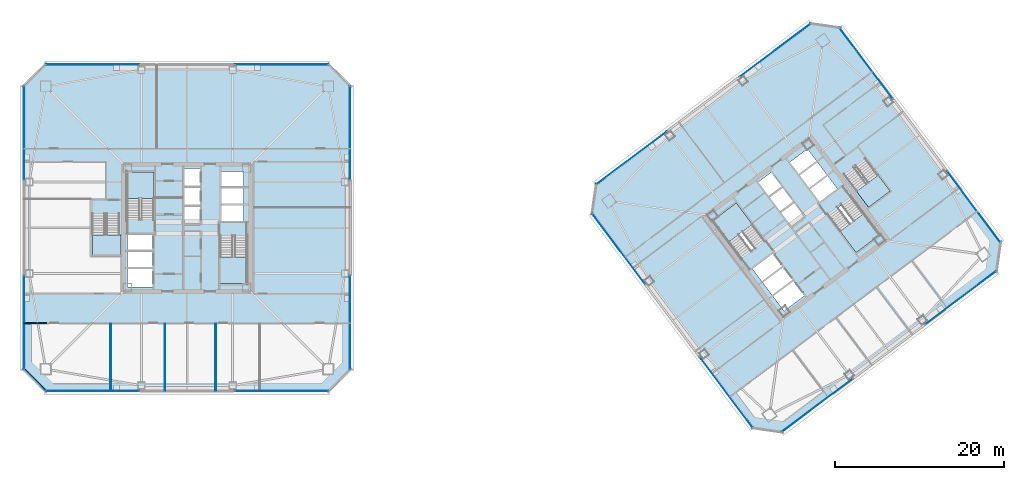
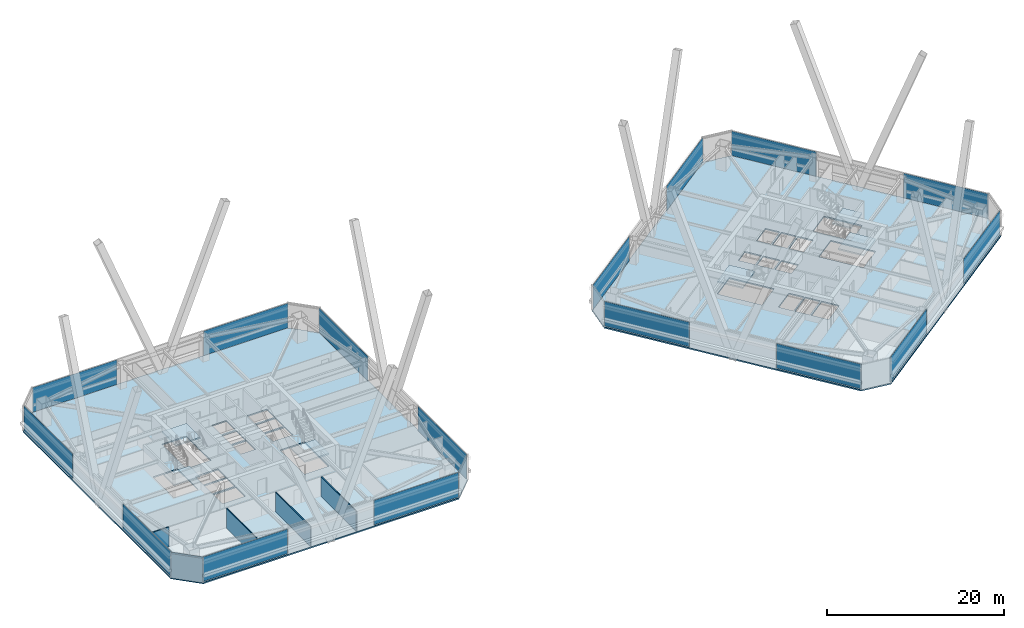
# One storey, part 39 of 50: 16 plates, 8 slabs, 5 walls, 22 elements without a shape of their own.
"""IFC4 building model written with IfcOpenShell, lengths in metres."""

from ifc_helpers import new_model, si_unit, direction, frame, frame_2d, origin, origin_2d, place, context, subcontext, project, spatial, polyline, rectangle, outline, extrude, material, layer, layer_set, type_object, element, aggregate, save


model = new_model("IFC4")

# Units and contexts
model_context = context("Model", 3, precision=1e-05, world=origin(), true_north=direction((0.0, 1.0)))
body_context = subcontext(model_context, "Body", "Model", "MODEL_VIEW")
ifc_project = project(units=[si_unit("LENGTHUNIT", "METRE"), si_unit("AREAUNIT", "SQUARE_METRE"), si_unit("VOLUMEUNIT", "CUBIC_METRE"), si_unit("PLANEANGLEUNIT", "RADIAN"), si_unit("MASSUNIT", "GRAM", prefix="KILO")], contexts=[model_context])

# Site, building, storey
site_placement = place(None, origin())
site = spatial("IfcSite", under=ifc_project, at=site_placement, CompositionType="ELEMENT")
building_placement = place(site_placement, origin())
building = spatial("IfcBuilding", under=site, at=building_placement, Name="Tashvorn Skyway Center", CompositionType="ELEMENT")
storey_placement = place(building_placement, frame((0.0, 0.0, 114.39990234375)))
storey = spatial("IfcBuildingStorey", under=building, at=storey_placement, Name="L30", CompositionType="ELEMENT", Elevation=114.39990234375)

# Curtain wall, plate
ifc_material_1 = material(Name="Thermally broken bronze-anodized aluminium 6063-T6", Category="aluminium")
curtain_wall_type = type_object("IfcCurtainWallType", Name="CW-CW-Z3", PredefinedType="NOTDEFINED", material=ifc_material_1)
curtain_wall_1_placement = place(storey_placement, origin())
curtain_wall_1 = element("IfcCurtainWall", 1, at=curtain_wall_1_placement, inside=storey, type_object=curtain_wall_type, Name="Tower 1 L30 South Unitised Curtain Wall Glazing Group 1", PredefinedType="NOTDEFINED")
ifc_material_2 = material(Name="Low-E solar-control double insulating safety glass", Category="glass")
ifc_layer_1 = layer(ifc_material_2, 0.0400390625)
ifc_layer_set_1 = layer_set([ifc_layer_1], Name="Low-E solar-control double insulating safety glass")
plate_type = type_object("IfcPlateType", Name="CWP-CW-Z3", PredefinedType="CURTAIN_PANEL", material=ifc_layer_set_1)
plate_1_placement = place(storey_placement, frame((53.186767578125, 12.719970703125, 0.0751953125), z_axis=(0.0, 0.0, 1.0), x_axis=(-1.0, 0.0, 0.0)))
plate_1 = element("IfcPlate", 2, at=plate_1_placement, type_object=plate_type, Name="CW-Z3 panel 1.1", PredefinedType="CURTAIN_PANEL", context=body_context, shape_type="SweptSolid", body=[
    extrude(rectangle(XDim=11.03662109375, YDim=0.0400390625, at=origin_2d()), origin(), (0.0, 0.0, 1.0), 3.39990234375),
])
aggregate(curtain_wall_1, [plate_1])

curtain_wall_2_placement = place(storey_placement, origin())
curtain_wall_2 = element("IfcCurtainWall", 3, at=curtain_wall_2_placement, inside=storey, type_object=curtain_wall_type, Name="Tower 1 L30 South Unitised Curtain Wall Glazing Group 2", PredefinedType="NOTDEFINED")
plate_2_placement = place(storey_placement, frame((30.813232421875, 12.719970703125, 0.0751953125), z_axis=(0.0, 0.0, 1.0), x_axis=(-1.0, 0.0, 0.0)))
plate_2 = element("IfcPlate", 4, at=plate_2_placement, type_object=plate_type, Name="CW-Z3 panel 1.1", PredefinedType="CURTAIN_PANEL", context=body_context, shape_type="SweptSolid", body=[
    extrude(rectangle(XDim=11.03662109375, YDim=0.0400390625, at=origin_2d()), origin(), (0.0, 0.0, 1.0), 3.39990234375),
])
aggregate(curtain_wall_2, [plate_2])

curtain_wall_3_placement = place(storey_placement, origin())
curtain_wall_3 = element("IfcCurtainWall", 5, at=curtain_wall_3_placement, inside=storey, type_object=curtain_wall_type, Name="Tower 1 L30 West Unitised Curtain Wall Glazing Group 1", PredefinedType="NOTDEFINED")
plate_3_placement = place(storey_placement, frame((22.719970703125, 20.813232421875, 0.0751953125), z_axis=(0.0, 0.0, 1.0), x_axis=(0.0, 1.0, 0.0)))
plate_3 = element("IfcPlate", 6, at=plate_3_placement, type_object=plate_type, Name="CW-Z3 panel 1.1", PredefinedType="CURTAIN_PANEL", context=body_context, shape_type="SweptSolid", body=[
    extrude(rectangle(XDim=11.03662109375, YDim=0.0400390625, at=origin_2d()), origin(), (0.0, 0.0, 1.0), 3.39990234375),
])
aggregate(curtain_wall_3, [plate_3])

curtain_wall_4_placement = place(storey_placement, origin())
curtain_wall_4 = element("IfcCurtainWall", 7, at=curtain_wall_4_placement, inside=storey, type_object=curtain_wall_type, Name="Tower 1 L30 West Unitised Curtain Wall Glazing Group 2", PredefinedType="NOTDEFINED")
plate_4_placement = place(storey_placement, frame((22.719970703125, 43.186767578125, 0.0751953125), z_axis=(0.0, 0.0, 1.0), x_axis=(0.0, 1.0, 0.0)))
plate_4 = element("IfcPlate", 8, at=plate_4_placement, type_object=plate_type, Name="CW-Z3 panel 1.1", PredefinedType="CURTAIN_PANEL", context=body_context, shape_type="SweptSolid", body=[
    extrude(rectangle(XDim=11.03662109375, YDim=0.0400390625, at=origin_2d()), origin(), (0.0, 0.0, 1.0), 3.39990234375),
])
aggregate(curtain_wall_4, [plate_4])

curtain_wall_5_placement = place(storey_placement, origin())
curtain_wall_5 = element("IfcCurtainWall", 9, at=curtain_wall_5_placement, inside=storey, type_object=curtain_wall_type, Name="Tower 1 L30 North Unitised Curtain Wall Glazing Group 1", PredefinedType="NOTDEFINED")
plate_5_placement = place(storey_placement, frame((30.813232421875, 51.280029296875, 0.0751953125), z_axis=(0.0, 0.0, 1.0), x_axis=(1.0, 0.0, 0.0)))
plate_5 = element("IfcPlate", 10, at=plate_5_placement, type_object=plate_type, Name="CW-Z3 panel 1.1", PredefinedType="CURTAIN_PANEL", context=body_context, shape_type="SweptSolid", body=[
    extrude(rectangle(XDim=11.03662109375, YDim=0.0400390625, at=origin_2d()), origin(), (0.0, 0.0, 1.0), 3.39990234375),
])
aggregate(curtain_wall_5, [plate_5])

curtain_wall_6_placement = place(storey_placement, origin())
curtain_wall_6 = element("IfcCurtainWall", 11, at=curtain_wall_6_placement, inside=storey, type_object=curtain_wall_type, Name="Tower 1 L30 North Unitised Curtain Wall Glazing Group 2", PredefinedType="NOTDEFINED")
plate_6_placement = place(storey_placement, frame((53.186767578125, 51.280029296875, 0.0751953125), z_axis=(0.0, 0.0, 1.0), x_axis=(1.0, 0.0, 0.0)))
plate_6 = element("IfcPlate", 12, at=plate_6_placement, type_object=plate_type, Name="CW-Z3 panel 1.1", PredefinedType="CURTAIN_PANEL", context=body_context, shape_type="SweptSolid", body=[
    extrude(rectangle(XDim=11.03662109375, YDim=0.0400390625, at=origin_2d()), origin(), (0.0, 0.0, 1.0), 3.39990234375),
])
aggregate(curtain_wall_6, [plate_6])

curtain_wall_7_placement = place(storey_placement, origin())
curtain_wall_7 = element("IfcCurtainWall", 13, at=curtain_wall_7_placement, inside=storey, type_object=curtain_wall_type, Name="Tower 1 L30 East Unitised Curtain Wall Glazing Group 1", PredefinedType="NOTDEFINED")
plate_7_placement = place(storey_placement, frame((61.280029296875, 43.186767578125, 0.0751953125), z_axis=(0.0, 0.0, 1.0), x_axis=(0.0, -1.0, 0.0)))
plate_7 = element("IfcPlate", 14, at=plate_7_placement, type_object=plate_type, Name="CW-Z3 panel 1.1", PredefinedType="CURTAIN_PANEL", context=body_context, shape_type="SweptSolid", body=[
    extrude(rectangle(XDim=11.03662109375, YDim=0.0400390625, at=origin_2d()), origin(), (0.0, 0.0, 1.0), 3.39990234375),
])
aggregate(curtain_wall_7, [plate_7])

curtain_wall_8_placement = place(storey_placement, origin())
curtain_wall_8 = element("IfcCurtainWall", 15, at=curtain_wall_8_placement, inside=storey, type_object=curtain_wall_type, Name="Tower 1 L30 East Unitised Curtain Wall Glazing Group 2", PredefinedType="NOTDEFINED")
plate_8_placement = place(storey_placement, frame((61.280029296875, 20.813232421875, 0.0751953125), z_axis=(0.0, 0.0, 1.0), x_axis=(0.0, -1.0, 0.0)))
plate_8 = element("IfcPlate", 16, at=plate_8_placement, type_object=plate_type, Name="CW-Z3 panel 1.1", PredefinedType="CURTAIN_PANEL", context=body_context, shape_type="SweptSolid", body=[
    extrude(rectangle(XDim=11.03662109375, YDim=0.0400390625, at=origin_2d()), origin(), (0.0, 0.0, 1.0), 3.39990234375),
])
aggregate(curtain_wall_8, [plate_8])

curtain_wall_9_placement = place(storey_placement, origin())
curtain_wall_9 = element("IfcCurtainWall", 17, at=curtain_wall_9_placement, inside=storey, type_object=curtain_wall_type, Name="Tower 2 L30 South Unitised Curtain Wall Glazing Group 1", PredefinedType="NOTDEFINED")
plate_9_placement = place(storey_placement, frame((133.437255859375, 23.72802734375, 0.0751953125), z_axis=(0.0, 0.0, 1.0), x_axis=(-0.799998866489, -0.600001511345, 0.0)))
plate_9 = element("IfcPlate", 18, at=plate_9_placement, type_object=plate_type, Name="CW-Z3 panel 1.1", PredefinedType="CURTAIN_PANEL", context=body_context, shape_type="SweptSolid", body=[
    extrude(rectangle(XDim=10.4365234375, YDim=0.0400390625, at=origin_2d()), origin(), (0.0, 0.0, 1.0), 3.39990234375),
])
aggregate(curtain_wall_9, [plate_9])

curtain_wall_10_placement = place(storey_placement, origin())
curtain_wall_10 = element("IfcCurtainWall", 19, at=curtain_wall_10_placement, inside=storey, type_object=curtain_wall_type, Name="Tower 2 L30 South Unitised Curtain Wall Glazing Group 2", PredefinedType="NOTDEFINED")
plate_10_placement = place(storey_placement, frame((116.49853515625, 11.02392578125, 0.0751953125), z_axis=(0.0, 0.0, 1.0), x_axis=(-0.799998866489, -0.600001511345, 0.0)))
plate_10 = element("IfcPlate", 20, at=plate_10_placement, type_object=plate_type, Name="CW-Z3 panel 1.1", PredefinedType="CURTAIN_PANEL", context=body_context, shape_type="SweptSolid", body=[
    extrude(rectangle(XDim=10.4365234375, YDim=0.0400390625, at=origin_2d()), origin(), (0.0, 0.0, 1.0), 3.39990234375),
])
aggregate(curtain_wall_10, [plate_10])

curtain_wall_11_placement = place(storey_placement, origin())
curtain_wall_11 = element("IfcCurtainWall", 21, at=curtain_wall_11_placement, inside=storey, type_object=curtain_wall_type, Name="Tower 2 L30 West Unitised Curtain Wall Glazing Group 1", PredefinedType="NOTDEFINED")
plate_11_placement = place(storey_placement, frame((105.72802734375, 12.562744140625, 0.0751953125), z_axis=(0.0, 0.0, 1.0), x_axis=(-0.600001511345, 0.799998866489, 0.0)))
plate_11 = element("IfcPlate", 22, at=plate_11_placement, type_object=plate_type, Name="CW-Z3 panel 1.1", PredefinedType="CURTAIN_PANEL", context=body_context, shape_type="SweptSolid", body=[
    extrude(rectangle(XDim=10.4365234375, YDim=0.0400390625, at=origin_2d()), origin(), (0.0, 0.0, 1.0), 3.39990234375),
])
aggregate(curtain_wall_11, [plate_11])

curtain_wall_12_placement = place(storey_placement, origin())
curtain_wall_12 = element("IfcCurtainWall", 23, at=curtain_wall_12_placement, inside=storey, type_object=curtain_wall_type, Name="Tower 2 L30 West Unitised Curtain Wall Glazing Group 2", PredefinedType="NOTDEFINED")
plate_12_placement = place(storey_placement, frame((93.02392578125, 29.50146484375, 0.0751953125), z_axis=(0.0, 0.0, 1.0), x_axis=(-0.600001511345, 0.799998866489, 0.0)))
plate_12 = element("IfcPlate", 24, at=plate_12_placement, type_object=plate_type, Name="CW-Z3 panel 1.1", PredefinedType="CURTAIN_PANEL", context=body_context, shape_type="SweptSolid", body=[
    extrude(rectangle(XDim=10.4365234375, YDim=0.0400390625, at=origin_2d()), origin(), (0.0, 0.0, 1.0), 3.39990234375),
])
aggregate(curtain_wall_12, [plate_12])

curtain_wall_13_placement = place(storey_placement, origin())
curtain_wall_13 = element("IfcCurtainWall", 25, at=curtain_wall_13_placement, inside=storey, type_object=curtain_wall_type, Name="Tower 2 L30 North Unitised Curtain Wall Glazing Group 1", PredefinedType="NOTDEFINED")
plate_13_placement = place(storey_placement, frame((94.562744140625, 40.27197265625, 0.0751953125), z_axis=(0.0, 0.0, 1.0), x_axis=(0.799998866489, 0.600001511345, 0.0)))
plate_13 = element("IfcPlate", 26, at=plate_13_placement, type_object=plate_type, Name="CW-Z3 panel 1.1", PredefinedType="CURTAIN_PANEL", context=body_context, shape_type="SweptSolid", body=[
    extrude(rectangle(XDim=10.4365234375, YDim=0.0400390625, at=origin_2d()), origin(), (0.0, 0.0, 1.0), 3.39990234375),
])
aggregate(curtain_wall_13, [plate_13])

curtain_wall_14_placement = place(storey_placement, origin())
curtain_wall_14 = element("IfcCurtainWall", 27, at=curtain_wall_14_placement, inside=storey, type_object=curtain_wall_type, Name="Tower 2 L30 North Unitised Curtain Wall Glazing Group 2", PredefinedType="NOTDEFINED")
plate_14_placement = place(storey_placement, frame((111.50146484375, 52.97607421875, 0.0751953125), z_axis=(0.0, 0.0, 1.0), x_axis=(0.799998866489, 0.600001511345, 0.0)))
plate_14 = element("IfcPlate", 28, at=plate_14_placement, type_object=plate_type, Name="CW-Z3 panel 1.1", PredefinedType="CURTAIN_PANEL", context=body_context, shape_type="SweptSolid", body=[
    extrude(rectangle(XDim=10.4365234375, YDim=0.0400390625, at=origin_2d()), origin(), (0.0, 0.0, 1.0), 3.39990234375),
])
aggregate(curtain_wall_14, [plate_14])

curtain_wall_15_placement = place(storey_placement, origin())
curtain_wall_15 = element("IfcCurtainWall", 29, at=curtain_wall_15_placement, inside=storey, type_object=curtain_wall_type, Name="Tower 2 L30 East Unitised Curtain Wall Glazing Group 1", PredefinedType="NOTDEFINED")
plate_15_placement = place(storey_placement, frame((122.27197265625, 51.437255859375, 0.0751953125), z_axis=(0.0, 0.0, 1.0), x_axis=(0.600001511345, -0.799998866489, 0.0)))
plate_15 = element("IfcPlate", 30, at=plate_15_placement, type_object=plate_type, Name="CW-Z3 panel 1.1", PredefinedType="CURTAIN_PANEL", context=body_context, shape_type="SweptSolid", body=[
    extrude(rectangle(XDim=10.4365234375, YDim=0.0400390625, at=origin_2d()), origin(), (0.0, 0.0, 1.0), 3.39990234375),
])
aggregate(curtain_wall_15, [plate_15])

curtain_wall_16_placement = place(storey_placement, origin())
curtain_wall_16 = element("IfcCurtainWall", 31, at=curtain_wall_16_placement, inside=storey, type_object=curtain_wall_type, Name="Tower 2 L30 East Unitised Curtain Wall Glazing Group 2", PredefinedType="NOTDEFINED")
plate_16_placement = place(storey_placement, frame((134.97607421875, 34.49853515625, 0.0751953125), z_axis=(0.0, 0.0, 1.0), x_axis=(0.600001511345, -0.799998866489, 0.0)))
plate_16 = element("IfcPlate", 32, at=plate_16_placement, type_object=plate_type, Name="CW-Z3 panel 1.1", PredefinedType="CURTAIN_PANEL", context=body_context, shape_type="SweptSolid", body=[
    extrude(rectangle(XDim=10.4365234375, YDim=0.0400390625, at=origin_2d()), origin(), (0.0, 0.0, 1.0), 3.39990234375),
])
aggregate(curtain_wall_16, [plate_16])

# Slabs
ifc_material_3 = material(Name="Concrete C40/50", Category="concrete")
ifc_layer_2 = layer(ifc_material_3, 0.179931640625)
ifc_layer_set_2 = layer_set([ifc_layer_2], Name="Concrete C40/50")
slab_type_1 = type_object("IfcSlabType", Name="SLAB-FLR-180", PredefinedType="FLOOR", material=ifc_layer_set_2)
slab_1_placement = place(storey_placement, frame((0.0, 0.0, -0.179931640625)))
element("IfcSlab", 33, at=slab_1_placement, inside=storey, type_object=slab_type_1, Name="Tower 1 L30 Composite Floor Slab", PredefinedType="FLOOR", context=body_context, shape_type="SweptSolid", body=[
    extrude(outline(polyline([(25.300048828125, 12.60009765625), (58.699951171875, 12.60009765625), (61.39990234375, 15.300048828125), (61.39990234375, 48.699951171875), (58.699951171875, 51.39990234375), (25.300048828125, 51.39990234375), (22.60009765625, 48.699951171875), (22.60009765625, 15.300048828125), (25.300048828125, 12.60009765625)]), holes=[polyline([(38.10009765625, 33.080078125), (38.10009765625, 38.60009765625), (34.89990234375, 38.60009765625), (34.89990234375, 33.080078125), (38.10009765625, 33.080078125)]), polyline([(45.89990234375, 30.919921875), (45.89990234375, 25.39990234375), (49.10009765625, 25.39990234375), (49.10009765625, 30.919921875), (45.89990234375, 30.919921875)]), polyline([(30.800048828125, 33.52001953125), (30.800048828125, 28.800048828125), (34.0, 28.800048828125), (34.0, 33.52001953125), (30.800048828125, 33.52001953125)]), polyline([(34.949951171875, 29.35009765625), (37.949951171875, 29.35009765625), (37.949951171875, 31.199951171875), (34.949951171875, 31.199951171875), (34.949951171875, 29.35009765625)]), polyline([(34.949951171875, 27.35009765625), (37.949951171875, 27.35009765625), (37.949951171875, 29.199951171875), (34.949951171875, 29.199951171875), (34.949951171875, 27.35009765625)]), polyline([(34.949951171875, 25.0), (37.949951171875, 25.0), (37.949951171875, 27.14990234375), (34.949951171875, 27.14990234375), (34.949951171875, 25.0)]), polyline([(41.64990234375, 32.449951171875), (43.550048828125, 32.449951171875), (43.550048828125, 34.5), (41.64990234375, 34.5), (41.64990234375, 32.449951171875)]), polyline([(41.64990234375, 34.699951171875), (43.550048828125, 34.699951171875), (43.550048828125, 36.75), (41.64990234375, 36.75), (41.64990234375, 34.699951171875)]), polyline([(41.64990234375, 36.949951171875), (43.550048828125, 36.949951171875), (43.550048828125, 39.0), (41.64990234375, 39.0), (41.64990234375, 36.949951171875)]), polyline([(46.050048828125, 32.800048828125), (48.64990234375, 32.800048828125), (48.64990234375, 34.64990234375), (46.050048828125, 34.64990234375), (46.050048828125, 32.800048828125)]), polyline([(46.050048828125, 34.85009765625), (48.64990234375, 34.85009765625), (48.64990234375, 36.699951171875), (46.050048828125, 36.699951171875), (46.050048828125, 34.85009765625)]), polyline([(46.050048828125, 36.89990234375), (48.64990234375, 36.89990234375), (48.64990234375, 38.64990234375), (46.050048828125, 38.64990234375), (46.050048828125, 36.89990234375)])]), origin(), (0.0, 0.0, 1.0), 0.179931640625),
])
slab_2_placement = place(storey_placement, frame((0.0, 0.0, -0.179931640625)))
element("IfcSlab", 34, at=slab_2_placement, inside=storey, type_object=slab_type_1, Name="Tower 2 L30 Composite Floor Slab", PredefinedType="FLOOR", context=body_context, shape_type="SweptSolid", body=[
    extrude(outline(polyline([(112.39990234375, 7.800048828125), (137.679931640625, 26.760009765625), (138.199951171875, 30.39990234375), (119.239990234375, 55.679931640625), (115.60009765625, 56.199951171875), (90.320068359375, 37.239990234375), (89.800048828125, 33.60009765625), (108.760009765625, 8.320068359375), (112.39990234375, 7.800048828125)]), holes=[polyline([(110.23193359375, 30.52392578125), (106.919921875, 34.93994140625), (104.135986328125, 32.85205078125), (107.447998046875, 28.43603515625), (110.23193359375, 30.52392578125)]), polyline([(117.76806640625, 33.47607421875), (121.080078125, 29.06005859375), (123.864013671875, 31.14794921875), (120.552001953125, 35.56396484375), (117.76806640625, 33.47607421875)]), polyline([(119.7119140625, 38.18408203125), (122.5439453125, 34.407958984375), (125.10400390625, 36.327880859375), (122.27197265625, 40.10400390625), (119.7119140625, 38.18408203125)]), polyline([(109.949951171875, 25.64990234375), (112.35009765625, 27.449951171875), (111.239990234375, 28.929931640625), (108.840087890625, 27.1298828125), (109.949951171875, 25.64990234375)]), polyline([(111.14990234375, 24.050048828125), (113.550048828125, 25.85009765625), (112.43994140625, 27.330078125), (110.0400390625, 25.530029296875), (111.14990234375, 24.050048828125)]), polyline([(112.56005859375, 22.169921875), (114.9599609375, 23.969970703125), (113.669921875, 25.68994140625), (111.27001953125, 23.889892578125), (112.56005859375, 22.169921875)]), polyline([(113.449951171875, 32.14990234375), (114.969970703125, 33.2900390625), (113.739990234375, 34.929931640625), (112.219970703125, 33.7900390625), (113.449951171875, 32.14990234375)]), polyline([(112.10009765625, 33.949951171875), (113.6201171875, 35.090087890625), (112.389892578125, 36.72998046875), (110.8701171875, 35.590087890625), (112.10009765625, 33.949951171875)]), polyline([(110.75, 35.75), (112.27001953125, 36.889892578125), (111.0400390625, 38.530029296875), (109.52001953125, 37.389892578125), (110.75, 35.75)]), polyline([(116.760009765625, 35.070068359375), (118.840087890625, 36.6298828125), (117.72998046875, 38.110107421875), (115.64990234375, 36.550048828125), (116.760009765625, 35.070068359375)]), polyline([(115.530029296875, 36.7099609375), (117.610107421875, 38.27001953125), (116.5, 39.75), (114.419921875, 38.18994140625), (115.530029296875, 36.7099609375)]), polyline([(114.300048828125, 38.35009765625), (116.3798828125, 39.909912109375), (115.330078125, 41.31005859375), (113.25, 39.75), (114.300048828125, 38.35009765625)])]), origin(), (0.0, 0.0, 1.0), 0.179931640625),
])

# Stair, slab
stair_type = type_object("IfcStairType", Name="STAIR-CORE-1500", PredefinedType="HALF_TURN_STAIR", material=ifc_material_3)
stair_1_placement = place(storey_placement, origin())
stair_1 = element("IfcStair", 35, at=stair_1_placement, inside=storey, type_object=stair_type, Name="L30 Tower 1 Exit Stair 1", PredefinedType="HALF_TURN_STAIR")
ifc_layer_3 = layer(ifc_material_3, 0.199951171875)
ifc_layer_set_3 = layer_set([ifc_layer_3], Name="Concrete C40/50")
slab_type_2 = type_object("IfcSlabType", Name="SLAB-LAND-200", PredefinedType="LANDING", material=ifc_layer_set_3)
slab_3_placement = place(storey_placement, frame((0.0, 0.0, 1.5751953125)))
slab_3 = element("IfcSlab", 36, at=slab_3_placement, type_object=slab_type_2, Name="ST-T1-1 landing 1", PredefinedType="LANDING", context=body_context, shape_type="SweptSolid", body=[
    extrude(outline(polyline([(38.10009765625, 35.43994140625), (38.10009765625, 38.60009765625), (34.89990234375, 38.60009765625), (34.89990234375, 35.43994140625), (38.10009765625, 35.43994140625)])), origin(), (0.0, 0.0, 1.0), 0.199951171875),
])
aggregate(stair_1, [slab_3])

stair_2_placement = place(storey_placement, origin())
stair_2 = element("IfcStair", 37, at=stair_2_placement, inside=storey, type_object=stair_type, Name="L30 Tower 1 Exit Stair 2", PredefinedType="HALF_TURN_STAIR")
slab_4_placement = place(storey_placement, frame((0.0, 0.0, 1.5751953125)))
slab_4 = element("IfcSlab", 38, at=slab_4_placement, type_object=slab_type_2, Name="ST-T1-2 landing 1", PredefinedType="LANDING", context=body_context, shape_type="SweptSolid", body=[
    extrude(outline(polyline([(45.89990234375, 28.56005859375), (45.89990234375, 25.39990234375), (49.10009765625, 25.39990234375), (49.10009765625, 28.56005859375), (45.89990234375, 28.56005859375)])), origin(), (0.0, 0.0, 1.0), 0.199951171875),
])
aggregate(stair_2, [slab_4])

stair_3_placement = place(storey_placement, origin())
stair_3 = element("IfcStair", 39, at=stair_3_placement, inside=storey, type_object=stair_type, Name="L30 Tower 2 Exit Stair 1", PredefinedType="HALF_TURN_STAIR")
slab_5_placement = place(storey_placement, frame((0.0, 0.0, 1.5751953125)))
slab_5 = element("IfcSlab", 40, at=slab_5_placement, type_object=slab_type_2, Name="ST-T2-1 landing 1", PredefinedType="LANDING", context=body_context, shape_type="SweptSolid", body=[
    extrude(outline(polyline([(108.82080078125, 32.405517578125), (106.919921875, 34.93994140625), (104.135986328125, 32.85205078125), (106.036865234375, 30.317626953125), (108.82080078125, 32.405517578125)])), origin(), (0.0, 0.0, 1.0), 0.199951171875),
])
aggregate(stair_3, [slab_5])

stair_4_placement = place(storey_placement, origin())
stair_4 = element("IfcStair", 41, at=stair_4_placement, inside=storey, type_object=stair_type, Name="L30 Tower 2 Exit Stair 2", PredefinedType="HALF_TURN_STAIR")
slab_6_placement = place(storey_placement, frame((0.0, 0.0, 1.5751953125)))
slab_6 = element("IfcSlab", 42, at=slab_6_placement, type_object=slab_type_2, Name="ST-T2-2 landing 1", PredefinedType="LANDING", context=body_context, shape_type="SweptSolid", body=[
    extrude(outline(polyline([(119.17919921875, 31.594482421875), (121.080078125, 29.06005859375), (123.864013671875, 31.14794921875), (121.963134765625, 33.682373046875), (119.17919921875, 31.594482421875)])), origin(), (0.0, 0.0, 1.0), 0.199951171875),
])
aggregate(stair_4, [slab_6])

stair_5_placement = place(storey_placement, origin())
stair_5 = element("IfcStair", 43, at=stair_5_placement, inside=storey, type_object=stair_type, Name="L30 Tower 1 Exit Stair 3", PredefinedType="HALF_TURN_STAIR")
slab_7_placement = place(storey_placement, frame((0.0, 0.0, 1.5751953125)))
slab_7 = element("IfcSlab", 44, at=slab_7_placement, type_object=slab_type_2, Name="ST-T1-3 landing 1", PredefinedType="LANDING", context=body_context, shape_type="SweptSolid", body=[
    extrude(outline(polyline([(30.800048828125, 31.159912109375), (30.800048828125, 28.800048828125), (34.199951171875, 28.800048828125), (34.199951171875, 31.159912109375), (30.800048828125, 31.159912109375)])), origin(), (0.0, 0.0, 1.0), 0.199951171875),
])
aggregate(stair_5, [slab_7])

stair_6_placement = place(storey_placement, origin())
stair_6 = element("IfcStair", 45, at=stair_6_placement, inside=storey, type_object=stair_type, Name="L30 Tower 2 Exit Stair 3", PredefinedType="HALF_TURN_STAIR")
slab_8_placement = place(storey_placement, frame((0.0, 0.0, 1.5751953125)))
slab_8 = element("IfcSlab", 46, at=slab_8_placement, type_object=slab_type_2, Name="ST-T2-3 landing 1", PredefinedType="LANDING", context=body_context, shape_type="SweptSolid", body=[
    extrude(outline(polyline([(121.123291015625, 36.302490234375), (122.5439453125, 34.407958984375), (125.10400390625, 36.327880859375), (123.68310546875, 38.222412109375), (121.123291015625, 36.302490234375)])), origin(), (0.0, 0.0, 1.0), 0.199951171875),
])
aggregate(stair_6, [slab_8])

# Walls
ifc_material_4 = material(Name="Precast concrete C40/50", Category="concrete")
ifc_layer_4 = layer(ifc_material_4, 0.280029296875)
ifc_layer_set_4 = layer_set([ifc_layer_4], Name="Precast concrete C40/50")
wall_type_1 = type_object("IfcWallType", Name="WALL-EXT-280", PredefinedType="SOLIDWALL", material=ifc_layer_set_4)
wall_1_placement = place(storey_placement, frame((25.300048828125, 12.699951171875, 0.0), z_axis=(0.0, 0.0, 1.0), x_axis=(-0.707106781187, 0.707106781187, 0.0)))
element("IfcWall", 47, at=wall_1_placement, inside=storey, type_object=wall_type_1, Name="Tower 1 L30 SW Precast Chamfer Wall", PredefinedType="SOLIDWALL", context=body_context, shape_type="SweptSolid", body=[
    extrude(rectangle(XDim=3.677001953125, YDim=0.280029296875, at=frame_2d((1.83837890625, 0.0))), origin(), (0.0, 0.0, 1.0), 3.3701171875),
])
ifc_material_5 = material(Name="Gypsum board on cold-formed steel stud framing", Category="steel")
ifc_layer_5 = layer(ifc_material_5, 0.110107421875)
ifc_layer_set_5 = layer_set([ifc_layer_5], Name="Gypsum board on cold-formed steel stud framing")
wall_type_2 = type_object("IfcWallType", Name="WALL-PART-110", PredefinedType="PARTITIONING", material=ifc_layer_set_5)
for number, where, z_axis, x_axis, name in (
    (48, (33.0, 12.719970703125, 0.0), (0.0, 0.0, 1.0), (0.0, 1.0, 0.0), "Tower 1 L30 South Suite Partition 1"),
    (49, (39.39990234375, 12.719970703125, 0.0), (0.0, 0.0, 1.0), (0.0, 1.0, 0.0), "Tower 1 L30 South Suite Partition 2"),
    (50, (45.39990234375, 12.719970703125, 0.0), (0.0, 0.0, 1.0), (0.0, 1.0, 0.0), "Tower 1 L30 South Suite Partition 3"),
):
    element("IfcWall", number, at=place(storey_placement, frame(where, z_axis=z_axis, x_axis=x_axis)), inside=storey, type_object=wall_type_2, Name=name, PredefinedType="PARTITIONING", context=body_context, shape_type="SweptSolid", body=[
        extrude(rectangle(XDim=7.929931640625, YDim=0.110107421875, at=frame_2d((3.96484375, 0.0))), origin(), (0.0, 0.0, 1.0), 2.72314453125),
    ])
ifc_layer_6 = layer(ifc_material_5, 0.135009765625)
ifc_layer_set_6 = layer_set([ifc_layer_6], Name="Gypsum board on cold-formed steel stud framing")
wall_type_3 = type_object("IfcWallType", Name="WALL-PART-135", PredefinedType="PARTITIONING", material=ifc_layer_set_6)
wall_2_placement = place(storey_placement, frame((22.719970703125, 20.72998046875, 0.0), z_axis=(0.0, 0.0, 1.0), x_axis=(1.0, 0.0, 0.0)))
element("IfcWall", 51, at=wall_2_placement, inside=storey, type_object=wall_type_3, Name="Tower 1 L30 South-West Suite North Wall", PredefinedType="PARTITIONING", context=body_context, shape_type="SweptSolid", body=[
    extrude(rectangle(XDim=2.72998046875, YDim=0.135009765625, at=frame_2d((1.364990234375, 0.0))), origin(), (0.0, 0.0, 1.0), 2.72314453125),
])

save(model, "model.ifc")
